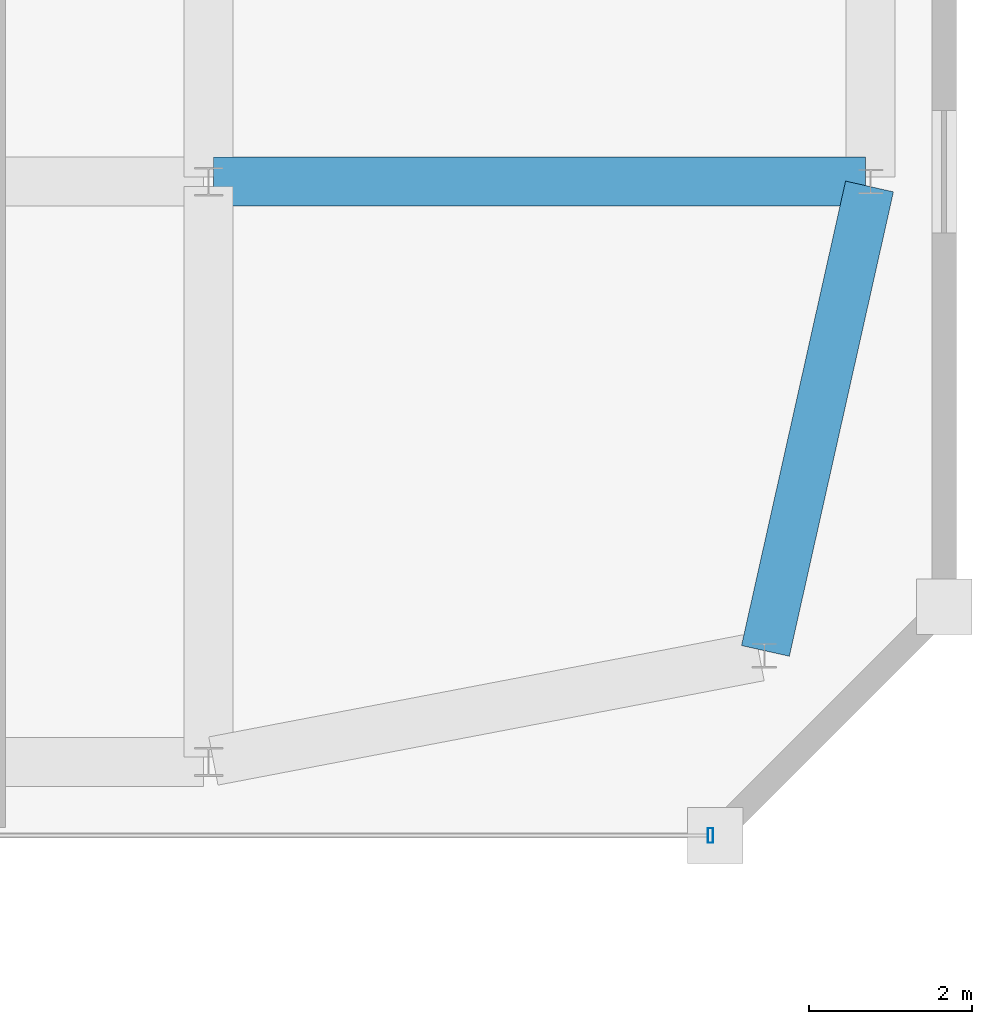
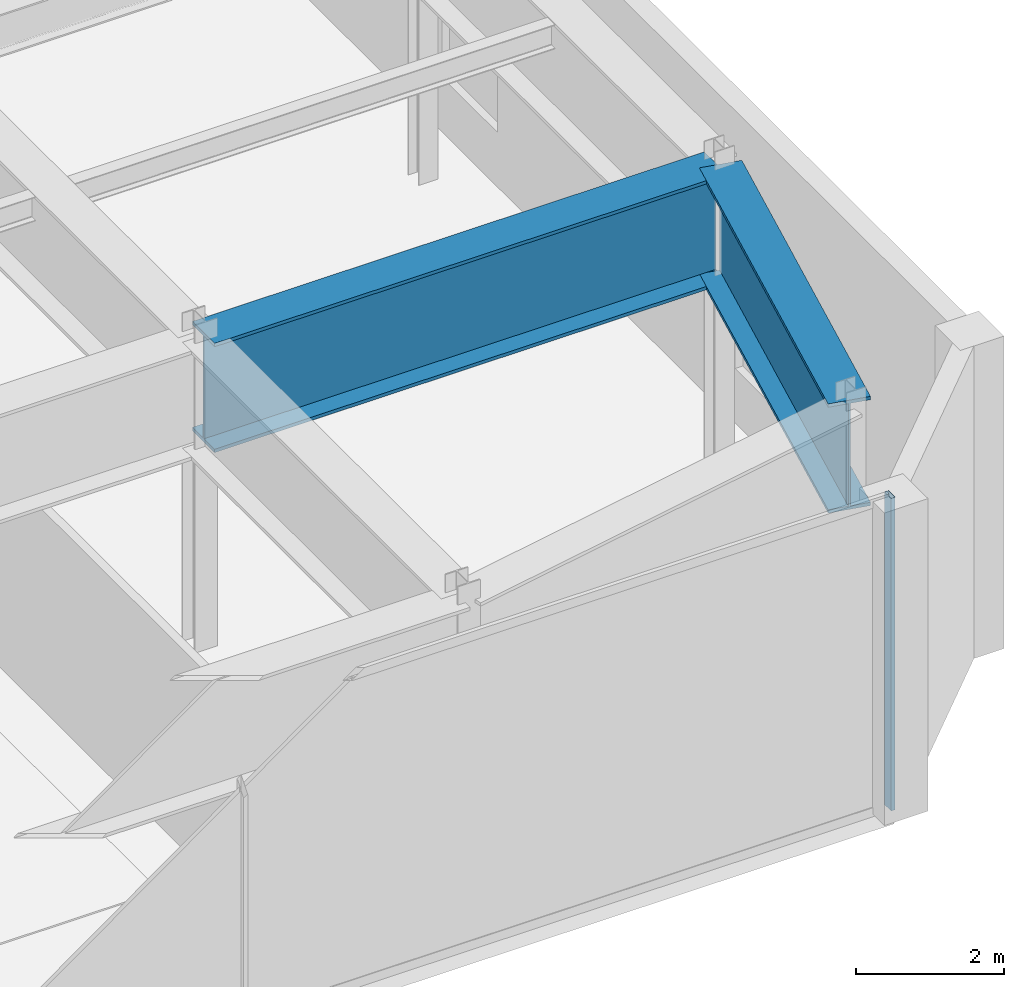
# One storey, part 38 of 53: 2 beams, 1 member, 1 element without a shape of its own.
"""IFC4 building model written with IfcOpenShell, lengths in metres."""

import ifcopenshell
import ifcopenshell.guid

model = None  # the IFC model being written
_history = None  # IfcOwnerHistory: only IFC2X3 demands one
_inside = {}  # id of a spatial element -> (the spatial element, [elements in it])
_under = {}  # id of a project, library or spatial element -> (it, [spatial elements below it])
_declared = {}  # id of a project -> (the project, [libraries it declares])
_typed = {}  # id of a type object -> (the type object, [elements of that type])
_made_of = {}  # id of a material, layer set ... -> (it, [elements and type objects made of it])


def new_model(schema):
    """Start an empty IFC model of exactly this schema.

    Asked for "IFC4X3", IfcOpenShell would pick the latest addendum, in which some entities
    have other attributes; the version numbers below select the first issue.
    IFC2X3 requires an IfcOwnerHistory on every rooted entity: one is made here for all.
    """
    global model, _history
    if schema == "IFC4X3":
        model = ifcopenshell.file(schema_version=(4, 3, 0, 0))
    else:
        model = ifcopenshell.file(schema=schema)
    _inside.clear()
    _under.clear()
    _declared.clear()
    _typed.clear()
    _made_of.clear()
    _history = None
    if model.schema == "IFC2X3":
        org = make("IfcOrganization", Name="unknown")
        user = make(
            "IfcPersonAndOrganization",
            ThePerson=make("IfcPerson", FamilyName="unknown"),
            TheOrganization=org,
        )
        app = make(
            "IfcApplication",
            ApplicationDeveloper=org,
            Version="unknown",
            ApplicationFullName="unknown",
            ApplicationIdentifier="unknown",
        )
        _history = make(
            "IfcOwnerHistory",
            OwningUser=user,
            OwningApplication=app,
            ChangeAction="ADDED",
            CreationDate=0,
        )
    return model


def make(cls, **values):
    """One entity of the class cls with the attributes given. An attribute that is None is left unset."""
    return model.create_entity(
        cls, **{name: value for name, value in values.items() if value is not None}
    )


def rooted(cls, **values):
    """An entity with a GlobalId (a new one), such as an element, a storey or a relation."""
    return make(cls, GlobalId=ifcopenshell.guid.new(), OwnerHistory=_history, **values)


def si_unit(unit_type, name, prefix=None):
    """IfcSIUnit, for example si_unit("LENGTHUNIT", "METRE", prefix="MILLI")."""
    return make("IfcSIUnit", UnitType=unit_type, Prefix=prefix, Name=name)


def assignment(units):
    """IfcUnitAssignment: the units of a project."""
    return None if units is None else make("IfcUnitAssignment", Units=units)


def point(xyz):
    """IfcCartesianPoint."""
    return None if xyz is None else make("IfcCartesianPoint", Coordinates=xyz)


def direction(xyz):
    """IfcDirection."""
    return None if xyz is None else make("IfcDirection", DirectionRatios=xyz)


def frame(location, z_axis=None, x_axis=None):
    """IfcAxis2Placement3D, a coordinate frame: its origin and axes. An axis left out is left unset."""
    return make(
        "IfcAxis2Placement3D",
        Location=point(location),
        Axis=direction(z_axis),
        RefDirection=direction(x_axis),
    )


def frame_2d(location, x_axis=None):
    """IfcAxis2Placement2D, a coordinate frame in the plane: its origin and x axis."""
    return make(
        "IfcAxis2Placement2D", Location=point(location), RefDirection=direction(x_axis)
    )


def origin():
    """The frame at (0, 0, 0) with its axes left unset."""
    return frame((0.0, 0.0, 0.0))


def origin_2d():
    """The frame at (0, 0) in the plane with its x axis left unset."""
    return frame_2d((0.0, 0.0))


def place(relative_to, where):
    """IfcLocalPlacement: puts the frame where relative to a parent placement (None: the world)."""
    return make(
        "IfcLocalPlacement", PlacementRelTo=relative_to, RelativePlacement=where
    )


def context(
    kind, dimensions, precision=None, world=None, true_north=None, identifier=None
):
    """IfcGeometricRepresentationContext, for example the 3D "Model" context."""
    return make(
        "IfcGeometricRepresentationContext",
        ContextIdentifier=identifier,
        ContextType=kind,
        CoordinateSpaceDimension=dimensions,
        Precision=precision,
        WorldCoordinateSystem=world,
        TrueNorth=true_north,
    )


def subcontext(parent, identifier, kind, view, scale=None):
    """IfcGeometricRepresentationSubContext, for example "Body" below "Model"."""
    return make(
        "IfcGeometricRepresentationSubContext",
        ContextIdentifier=identifier,
        ContextType=kind,
        ParentContext=parent,
        TargetScale=scale,
        TargetView=view,
    )


def project(units=None, contexts=None):
    """IfcProject with its units and contexts."""
    return rooted(
        "IfcProject",
        Name="project",
        RepresentationContexts=contexts,
        UnitsInContext=assignment(units),
    )


def spatial(cls, under=None, at=None, **own):
    """A site, building, storey or space (cls), placed at a placement, below another one or the project."""
    s = rooted(cls, ObjectPlacement=at, **own)
    if under is not None:
        _under.setdefault(under.id(), (under, []))[1].append(s)
    return s


def profile(cls, at=None, kind="AREA", **sizes):
    """A parametric profile (cls). Its sizes go by their IFC names, for example OverallWidth=200.0."""
    return make(cls, ProfileType=kind, Position=at, **sizes)


def hollow_rectangle(**sizes):
    """IfcRectangleHollowProfileDef."""
    return profile("IfcRectangleHollowProfileDef", **sizes)


def i_section(**sizes):
    """IfcIShapeProfileDef."""
    return profile("IfcIShapeProfileDef", **sizes)


def extrude(swept, where, along, depth):
    """IfcExtrudedAreaSolid: the profile swept, set in the frame where, extruded along a direction by depth."""
    return make(
        "IfcExtrudedAreaSolid",
        SweptArea=swept,
        Position=where,
        ExtrudedDirection=direction(along),
        Depth=depth,
    )


def shape(context_of_items, identifier, shape_type, items):
    """IfcShapeRepresentation: the items that make up one representation, for example the "Body"."""
    return make(
        "IfcShapeRepresentation",
        ContextOfItems=context_of_items,
        RepresentationIdentifier=identifier,
        RepresentationType=shape_type,
        Items=items,
    )


def material(Name=None, Category=None):
    """IfcMaterial."""
    return make("IfcMaterial", Name=Name, Category=Category)


def material_profile(
    of_material, cross_section, Name=None, Category=None, Priority=None
):
    """IfcMaterialProfile: a cross section and its material."""
    return make(
        "IfcMaterialProfile",
        Name=Name,
        Material=of_material,
        Profile=cross_section,
        Priority=Priority,
        Category=Category,
    )


def profile_set(profiles, Name=None, composite=None):
    """IfcMaterialProfileSet."""
    return make(
        "IfcMaterialProfileSet",
        Name=Name,
        MaterialProfiles=profiles,
        CompositeProfile=composite,
    )


def made_of(thing, what):
    """Note that an element or type object is made of a material, layer set ...; save() writes the relation."""
    if what is not None:
        _made_of.setdefault(what.id(), (what, []))[1].append(thing)
    return thing


def type_object(cls, material=None, **own):
    """A type object (cls), such as IfcWallType, which elements share."""
    return made_of(rooted(cls, **own), material)


def element(
    cls,
    number,
    at=None,
    inside=None,
    cuts=None,
    type_object=None,
    material=None,
    context=None,
    identifier="Body",
    shape_type=None,
    held_by="IfcProductDefinitionShape",
    body=None,
    shapes=None,
    **own,
):
    """One element of the class cls, such as IfcWall. Its Tag is "e" and its number.

    at: its placement. inside: the storey or other place that contains it. cuts: it is an
    opening in that element (IfcRelVoidsElement). A single representation is given by context,
    identifier, shape_type and body (its items); several are given by shapes. held_by: the class
    of the entity that holds the representations. save() writes the other relations.
    """
    e = rooted(cls, Tag="e%d" % number, ObjectPlacement=at, **own)
    if body is not None:
        shapes = [shape(context, identifier, shape_type, body)]
    if shapes is not None:
        e.Representation = make(held_by, Representations=shapes)
    if inside is not None:
        _inside.setdefault(inside.id(), (inside, []))[1].append(e)
    if cuts is not None:
        rooted(
            "IfcRelVoidsElement", RelatingBuildingElement=cuts, RelatedOpeningElement=e
        )
    if type_object is not None:
        _typed.setdefault(type_object.id(), (type_object, []))[1].append(e)
    return made_of(e, material)


def aggregate(whole, parts):
    """IfcRelAggregates: a whole, such as a stair, and the parts it consists of."""
    return rooted("IfcRelAggregates", RelatingObject=whole, RelatedObjects=parts)


def save(model, path):
    """Write the relations noted so far, then the file.

    IfcRelAggregates (storeys below a building ...), IfcRelContainedInSpatialStructure (elements
    in a storey), IfcRelDefinesByType, IfcRelAssociatesMaterial and IfcRelDeclares: one each for
    every whole, place, type object, material and project.
    """
    for whole, parts in _under.values():
        aggregate(whole, parts)
    for where, things in _inside.values():
        rooted(
            "IfcRelContainedInSpatialStructure",
            RelatedElements=things,
            RelatingStructure=where,
        )
    for kind, things in _typed.values():
        rooted("IfcRelDefinesByType", RelatedObjects=things, RelatingType=kind)
    for what, things in _made_of.values():
        rooted("IfcRelAssociatesMaterial", RelatedObjects=things, RelatingMaterial=what)
    for by, libraries in _declared.values():
        rooted("IfcRelDeclares", RelatingContext=by, RelatedDefinitions=libraries)
    model.write(path)


model = new_model("IFC4")

# Units and contexts
model_context = context("Model", 3, precision=1e-05, world=origin(), true_north=direction((0.0, 1.0)))
body_context = subcontext(model_context, "Body", "Model", "MODEL_VIEW")
ifc_project = project(units=[si_unit("LENGTHUNIT", "METRE"), si_unit("AREAUNIT", "SQUARE_METRE"), si_unit("VOLUMEUNIT", "CUBIC_METRE"), si_unit("PLANEANGLEUNIT", "RADIAN"), si_unit("MASSUNIT", "GRAM", prefix="KILO")], contexts=[model_context])

# Site, building, storey
site_placement = place(None, origin())
site = spatial("IfcSite", under=ifc_project, at=site_placement, CompositionType="ELEMENT")
building_placement = place(site_placement, origin())
building = spatial("IfcBuilding", under=site, at=building_placement, Name="Saevonmaru Cultural Tower", CompositionType="ELEMENT")
storey_placement = place(building_placement, frame((0.0, 0.0, 22.199951171875)))
storey = spatial("IfcBuildingStorey", under=building, at=storey_placement, Name="L04", CompositionType="ELEMENT", Elevation=22.199951171875)

# Beams
ifc_material_1 = material(Name="Steel HSA600 (600 MPa)", Category="steel")
ifc_material_profile_1 = material_profile(ifc_material_1, i_section(OverallWidth=0.60009765625, OverallDepth=1.800048828125, WebThickness=0.028076171875, FlangeThickness=0.054931640625, at=origin_2d()), Name="PG-1800x600x28x55")
ifc_profile_set_1 = profile_set([ifc_material_profile_1], Name="Steel HSA600 (600 MPa)")
beam_type = type_object("IfcBeamType", Name="BM-TG-PG1800", PredefinedType="BEAM", material=ifc_profile_set_1)
beam_1_placement = place(storey_placement, frame((99.260009765625, 16.0, 4.199951171875), z_axis=(1.0, 0.0, 0.0), x_axis=(0.0, 1.0, 0.0)))
element("IfcBeam", 1, at=beam_1_placement, inside=storey, type_object=beam_type, Name="L04 Library Girder EW-2-4", PredefinedType="BEAM", context=body_context, shape_type="SweptSolid", body=[
    extrude(i_section(OverallWidth=0.60009765625, OverallDepth=1.800048828125, WebThickness=0.028076171875, FlangeThickness=0.054931640625, at=origin_2d()), origin(), (0.0, 0.0, 1.0), 7.97998046875),
])
beam_2_placement = place(storey_placement, frame((106.01318359375, 10.258544921875, 4.199951171875), z_axis=(0.218701133908, 0.975791890737, 0.0), x_axis=(-0.975791890737, 0.218701133908, 0.0)))
element("IfcBeam", 2, at=beam_2_placement, inside=storey, type_object=beam_type, Name="L04 Library Girder NS-5-1", PredefinedType="BEAM", context=body_context, shape_type="SweptSolid", body=[
    extrude(i_section(OverallWidth=0.60009765625, OverallDepth=1.800048828125, WebThickness=0.028076171875, FlangeThickness=0.054931640625, at=origin_2d()), origin(), (0.0, 0.0, 1.0), 5.82373046875),
])

# Curtain wall, member
ifc_material_2 = material(Name="Satin Bronze Anodised Aluminium", Category="aluminium")
curtain_wall_type = type_object("IfcCurtainWallType", Name="CW-LIB-GLZ", PredefinedType="NOTDEFINED", material=ifc_material_2)
curtain_wall_placement = place(storey_placement, origin())
curtain_wall = element("IfcCurtainWall", 3, at=curtain_wall_placement, inside=storey, type_object=curtain_wall_type, Name="L04 Central Library Reading Hall Curtain Wall 2", PredefinedType="NOTDEFINED")
ifc_material_profile_2 = material_profile(ifc_material_2, hollow_rectangle(XDim=0.06494140625, YDim=0.179931640625, WallThickness=0.00390625, at=origin_2d()), Name="ALU-MULL-180x65x4")
ifc_profile_set_2 = profile_set([ifc_material_profile_2], Name="Satin Bronze Anodised Aluminium")
member_type = type_object("IfcMemberType", Name="ML-CW-180x65", PredefinedType="MULLION", material=ifc_profile_set_2)
member_placement = place(storey_placement, frame((105.340087890625, 8.0, 0.0), z_axis=(0.0, 0.0, 1.0), x_axis=(1.0, 0.0, 0.0)))
member = element("IfcMember", 4, at=member_placement, type_object=member_type, Name="CW-LIB-2-L04 mullion 4", PredefinedType="MULLION", context=body_context, shape_type="SweptSolid", body=[
    extrude(hollow_rectangle(XDim=0.06494140625, YDim=0.179931640625, WallThickness=0.00390625, at=origin_2d()), origin(), (0.0, 0.0, 1.0), 5.150146484375),
])
aggregate(curtain_wall, [member])

save(model, "model.ifc")
